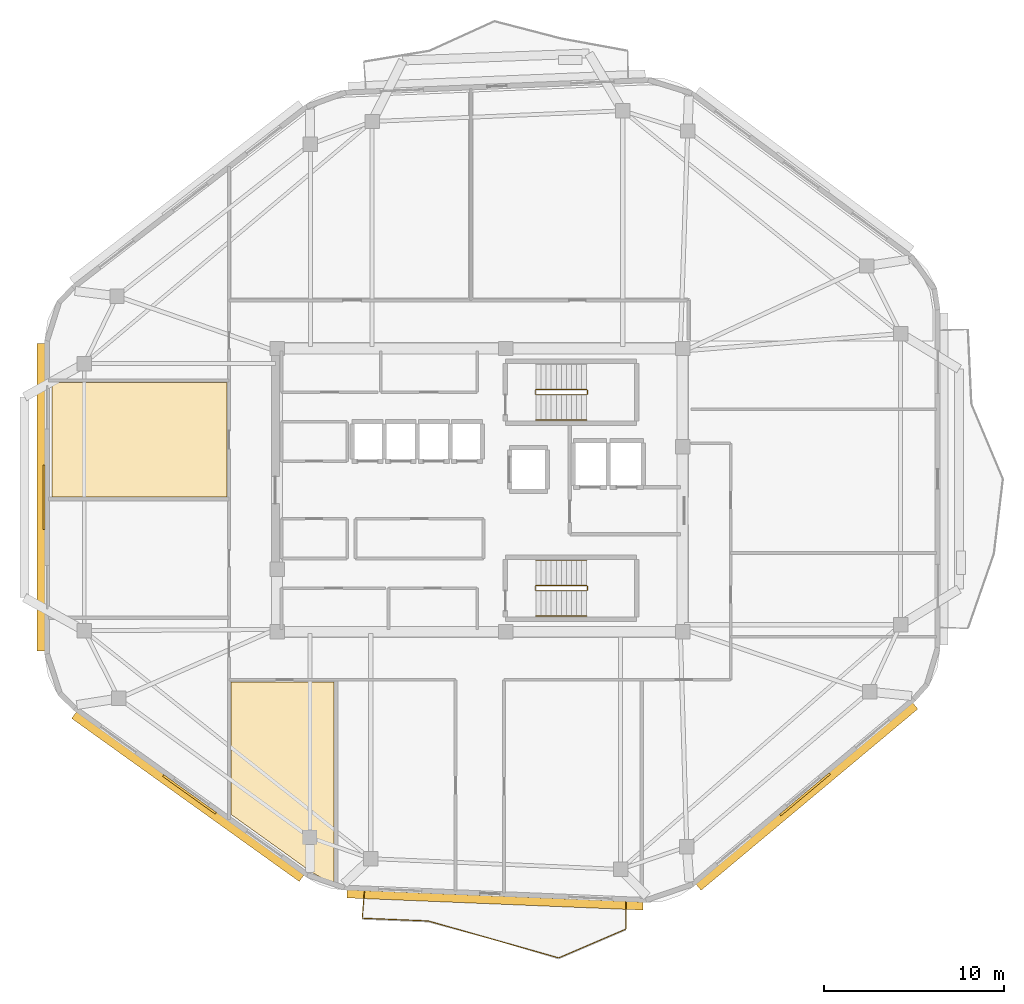
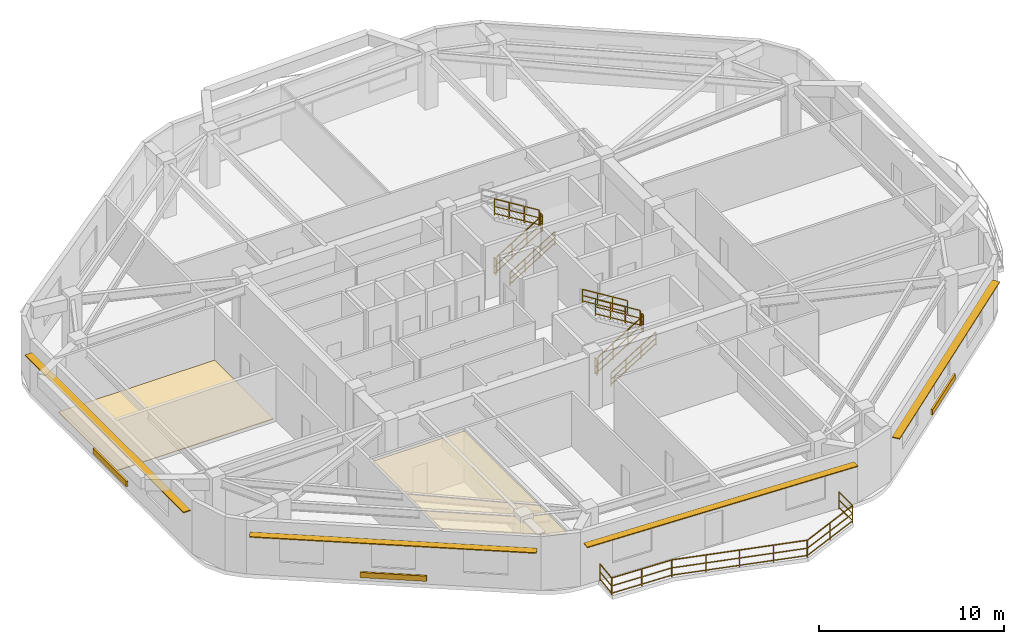
# One storey, part 7 of 8: 16 railings, 7 shading devices, 2 coverings.
"""IFC4 building model written with IfcOpenShell, lengths in metres."""

from ifc_helpers import new_model, si_unit, direction, frame, origin, origin_2d, place, context, subcontext, project, spatial, polyline, rectangle, outline, extrude, material, layer, layer_set, type_object, element, save


model = new_model("IFC4")

# Units and contexts
model_context = context("Model", 3, precision=1e-05, world=origin(), true_north=direction((0.0, 1.0)))
body_context = subcontext(model_context, "Body", "Model", "MODEL_VIEW")
ifc_project = project(units=[si_unit("LENGTHUNIT", "METRE"), si_unit("AREAUNIT", "SQUARE_METRE"), si_unit("VOLUMEUNIT", "CUBIC_METRE"), si_unit("PLANEANGLEUNIT", "RADIAN"), si_unit("MASSUNIT", "GRAM", prefix="KILO")], contexts=[model_context])

# Site, building, storey
site_placement = place(None, origin())
site = spatial("IfcSite", under=ifc_project, at=site_placement, CompositionType="ELEMENT")
building_placement = place(site_placement, origin())
building = spatial("IfcBuilding", under=site, at=building_placement, Name="Zulverin Broadcast Headquarters", CompositionType="ELEMENT")
storey_placement = place(building_placement, frame((0.0, 0.0, 274.39990234375)))
storey = spatial("IfcBuildingStorey", under=building, at=storey_placement, Name="L70", CompositionType="ELEMENT", Elevation=274.39990234375)

# Coverings
ifc_material_1 = material(Name="Perforated pale-metal acoustic baffle ceiling", Category="aluminium")
ifc_layer_1 = layer(ifc_material_1, 0.0400390625, Name="Perforated pale-metal acoustic baffle ceiling", Category="aluminium")
ifc_layer_set_1 = layer_set([ifc_layer_1], Name="Perforated pale-metal acoustic baffle ceiling")
covering_type_1 = type_object("IfcCoveringType", Name="COV-CEIL-ACOU", PredefinedType="CEILING", material=ifc_layer_set_1)
covering_1_placement = place(storey_placement, frame((0.0, 0.0, 3.360107421875)))
element("IfcCovering", 1, at=covering_1_placement, inside=storey, type_object=covering_type_1, Name="L70 Acoustic Baffle Ceiling 03", PredefinedType="CEILING", context=body_context, shape_type="SweptSolid", body=[
    extrude(outline(polyline([(27.580078125, 3.99609375), (28.1640625, 3.656005859375), (28.7880859375, 3.444091796875), (28.8798828125, 3.431884765625), (28.8798828125, 14.531982421875), (23.16796875, 14.531982421875), (23.16796875, 7.159912109375), (27.580078125, 3.99609375)])), origin(), (0.0, 0.0, 1.0), 0.0400390625),
])
ifc_material_2 = material(Name="Anti-static broadcast raised access flooring", Category="stone")
ifc_layer_2 = layer(ifc_material_2, 0.050048828125, Name="Anti-static broadcast raised access flooring", Category="stone")
ifc_layer_set_2 = layer_set([ifc_layer_2], Name="Anti-static broadcast raised access flooring")
covering_type_2 = type_object("IfcCoveringType", Name="COV-FLR-RAISED", PredefinedType="FLOORING", material=ifc_layer_set_2)
covering_2_placement = place(storey_placement, origin())
element("IfcCovering", 2, at=covering_2_placement, inside=storey, type_object=covering_type_2, Name="L70 Broadcast Raised Access Flooring 02", PredefinedType="FLOORING", context=body_context, shape_type="SweptSolid", body=[
    extrude(outline(polyline([(22.927978515625, 31.179931640625), (13.199951171875, 31.179931640625), (13.199951171875, 24.820068359375), (22.927978515625, 24.820068359375), (22.927978515625, 31.179931640625)])), origin(), (0.0, 0.0, 1.0), 0.050048828125),
])

# Railings
ifc_material_3 = material(Name="Brushed stainless steel & laminated glass balustrade", Category="steel")
railing_type_1 = type_object("IfcRailingType", Name="RL-GUARD-1150", PredefinedType="GUARDRAIL", material=ifc_material_3)
railing_1_placement = place(storey_placement, frame((30.580078125, 2.86572265625, 0.0)))
element("IfcRailing", 3, at=railing_1_placement, inside=storey, type_object=railing_type_1, Name="L70 Vertical-Forest Balcony Guardrail BAL_S Segment 01", PredefinedType="GUARDRAIL", context=body_context, shape_type="SweptSolid", body=[
    extrude(rectangle(XDim=0.048095703125, YDim=0.048095703125, at=origin_2d()), frame((0.0, 0.0, 1.1259765625), z_axis=(-0.08159832835, -0.996665296281, 0.0), x_axis=(0.996665296281, -0.08159832835, 0.0)), (0.0, 0.0, 1.0), 1.466064453125),
    extrude(rectangle(XDim=0.0419921875, YDim=0.0419921875, at=origin_2d()), frame((0.0, 0.0, 0.597900390625), z_axis=(-0.08159832835, -0.996665296281, 0.0), x_axis=(0.996665296281, -0.08159832835, 0.0)), (0.0, 0.0, 1.0), 1.466064453125),
    extrude(rectangle(XDim=0.0419921875, YDim=0.0419921875, at=origin_2d()), frame((0.0, 0.0, 0.1201171875), z_axis=(-0.08159832835, -0.996665296281, 0.0), x_axis=(0.996665296281, -0.08159832835, 0.0)), (0.0, 0.0, 1.0), 1.466064453125),
    extrude(rectangle(XDim=0.0419921875, YDim=0.0419921875, at=origin_2d()), origin(), (0.0, 0.0, 1.0), 1.101806640625),
    extrude(rectangle(XDim=0.0419921875, YDim=0.0419921875, at=origin_2d()), frame((-0.11962890625, -1.461181640625, 0.0)), (0.0, 0.0, 1.0), 1.101806640625),
])
railing_2_placement = place(storey_placement, frame((30.474365234375, 1.388916015625, 0.0)))
element("IfcRailing", 4, at=railing_2_placement, inside=storey, type_object=railing_type_1, Name="L70 Vertical-Forest Balcony Guardrail BAL_S Segment 02", PredefinedType="GUARDRAIL", context=body_context, shape_type="SweptSolid", body=[
    extrude(rectangle(XDim=0.048095703125, YDim=0.048095703125, at=origin_2d()), frame((0.0, 0.0, 1.1259765625), z_axis=(0.999156632001, -0.041061231452, 0.0), x_axis=(0.041061231452, 0.999156632001, 0.0)), (0.0, 0.0, 1.0), 3.638916015625),
    extrude(rectangle(XDim=0.0419921875, YDim=0.0419921875, at=origin_2d()), frame((0.0, 0.0, 0.597900390625), z_axis=(0.999156632001, -0.041061231452, 0.0), x_axis=(0.041061231452, 0.999156632001, 0.0)), (0.0, 0.0, 1.0), 3.638916015625),
    extrude(rectangle(XDim=0.0419921875, YDim=0.0419921875, at=origin_2d()), frame((0.0, 0.0, 0.1201171875), z_axis=(0.999156632001, -0.041061231452, 0.0), x_axis=(0.041061231452, 0.999156632001, 0.0)), (0.0, 0.0, 1.0), 3.638916015625),
    extrude(rectangle(XDim=0.0419921875, YDim=0.0419921875, at=origin_2d()), origin(), (0.0, 0.0, 1.0), 1.101806640625),
    extrude(rectangle(XDim=0.0419921875, YDim=0.0419921875, at=origin_2d()), frame((1.81787109375, -0.07470703125, 0.0)), (0.0, 0.0, 1.0), 1.101806640625),
    extrude(rectangle(XDim=0.0419921875, YDim=0.0419921875, at=origin_2d()), frame((3.6357421875, -0.1494140625, 0.0)), (0.0, 0.0, 1.0), 1.101806640625),
])
railing_3_placement = place(storey_placement, frame((34.1396484375, 1.234619140625, 0.0)))
element("IfcRailing", 5, at=railing_3_placement, inside=storey, type_object=railing_type_1, Name="L70 Vertical-Forest Balcony Guardrail BAL_S Segment 03", PredefinedType="GUARDRAIL", context=body_context, shape_type="SweptSolid", body=[
    extrude(rectangle(XDim=0.048095703125, YDim=0.048095703125, at=origin_2d()), frame((0.0, 0.0, 1.1259765625), z_axis=(0.962235433793, -0.27221860692, 0.0), x_axis=(0.27221860692, 0.962235433793, 0.0)), (0.0, 0.0, 1.0), 7.5146484375),
    extrude(rectangle(XDim=0.0419921875, YDim=0.0419921875, at=origin_2d()), frame((0.0, 0.0, 0.597900390625), z_axis=(0.962235433793, -0.27221860692, 0.0), x_axis=(0.27221860692, 0.962235433793, 0.0)), (0.0, 0.0, 1.0), 7.5146484375),
    extrude(rectangle(XDim=0.0419921875, YDim=0.0419921875, at=origin_2d()), frame((0.0, 0.0, 0.1201171875), z_axis=(0.962235433793, -0.27221860692, 0.0), x_axis=(0.27221860692, 0.962235433793, 0.0)), (0.0, 0.0, 1.0), 7.5146484375),
    extrude(rectangle(XDim=0.0419921875, YDim=0.0419921875, at=origin_2d()), origin(), (0.0, 0.0, 1.0), 1.101806640625),
    extrude(rectangle(XDim=0.0419921875, YDim=0.0419921875, at=origin_2d()), frame((1.8076171875, -0.511474609375, 0.0)), (0.0, 0.0, 1.0), 1.101806640625),
    extrude(rectangle(XDim=0.0419921875, YDim=0.0419921875, at=origin_2d()), frame((3.615478515625, -1.02294921875, 0.0)), (0.0, 0.0, 1.0), 1.101806640625),
    extrude(rectangle(XDim=0.0419921875, YDim=0.0419921875, at=origin_2d()), frame((5.42333984375, -1.5341796875, 0.0)), (0.0, 0.0, 1.0), 1.101806640625),
    extrude(rectangle(XDim=0.0419921875, YDim=0.0419921875, at=origin_2d()), frame((7.23095703125, -2.045654296875, 0.0)), (0.0, 0.0, 1.0), 1.101806640625),
])
railing_4_placement = place(storey_placement, frame((41.398681640625, -0.80908203125, 0.0)))
element("IfcRailing", 6, at=railing_4_placement, inside=storey, type_object=railing_type_1, Name="L70 Vertical-Forest Balcony Guardrail BAL_S Segment 04", PredefinedType="GUARDRAIL", context=body_context, shape_type="SweptSolid", body=[
    extrude(rectangle(XDim=0.048095703125, YDim=0.048095703125, at=origin_2d()), frame((0.0, 0.0, 1.1259765625), z_axis=(0.919176309922, 0.393846304133, 0.0), x_axis=(-0.393846304133, 0.919176309922, 0.0)), (0.0, 0.0, 1.0), 4.03662109375),
    extrude(rectangle(XDim=0.0419921875, YDim=0.0419921875, at=origin_2d()), frame((0.0, 0.0, 0.597900390625), z_axis=(0.919176309922, 0.393846304133, 0.0), x_axis=(-0.393846304133, 0.919176309922, 0.0)), (0.0, 0.0, 1.0), 4.03662109375),
    extrude(rectangle(XDim=0.0419921875, YDim=0.0419921875, at=origin_2d()), frame((0.0, 0.0, 0.1201171875), z_axis=(0.919176309922, 0.393846304133, 0.0), x_axis=(-0.393846304133, 0.919176309922, 0.0)), (0.0, 0.0, 1.0), 4.03662109375),
    extrude(rectangle(XDim=0.0419921875, YDim=0.0419921875, at=origin_2d()), origin(), (0.0, 0.0, 1.0), 1.101806640625),
    extrude(rectangle(XDim=0.0419921875, YDim=0.0419921875, at=origin_2d()), frame((1.855224609375, 0.794921875, 0.0)), (0.0, 0.0, 1.0), 1.101806640625),
    extrude(rectangle(XDim=0.0419921875, YDim=0.0419921875, at=origin_2d()), frame((3.71044921875, 1.58984375, 0.0)), (0.0, 0.0, 1.0), 1.101806640625),
])
railing_5_placement = place(storey_placement, frame((45.123046875, 0.8017578125, 0.0)))
element("IfcRailing", 7, at=railing_5_placement, inside=storey, type_object=railing_type_1, Name="L70 Vertical-Forest Balcony Guardrail BAL_S Segment 05", PredefinedType="GUARDRAIL", context=body_context, shape_type="SweptSolid", body=[
    extrude(rectangle(XDim=0.048095703125, YDim=0.048095703125, at=origin_2d()), frame((0.0, 0.0, 1.1259765625), z_axis=(0.000499500437, 0.99999987525, 0.0), x_axis=(-0.99999987525, 0.000499500437, 0.0)), (0.0, 0.0, 1.0), 1.46630859375),
    extrude(rectangle(XDim=0.0419921875, YDim=0.0419921875, at=origin_2d()), frame((0.0, 0.0, 0.597900390625), z_axis=(0.000499500437, 0.99999987525, 0.0), x_axis=(-0.99999987525, 0.000499500437, 0.0)), (0.0, 0.0, 1.0), 1.46630859375),
    extrude(rectangle(XDim=0.0419921875, YDim=0.0419921875, at=origin_2d()), frame((0.0, 0.0, 0.1201171875), z_axis=(0.000499500437, 0.99999987525, 0.0), x_axis=(-0.99999987525, 0.000499500437, 0.0)), (0.0, 0.0, 1.0), 1.46630859375),
    extrude(rectangle(XDim=0.0419921875, YDim=0.0419921875, at=origin_2d()), origin(), (0.0, 0.0, 1.0), 1.101806640625),
    extrude(rectangle(XDim=0.0419921875, YDim=0.0419921875, at=origin_2d()), frame((0.000732421875, 1.46630859375, 0.0)), (0.0, 0.0, 1.0), 1.101806640625),
])
ifc_material_4 = material(Name="Painted galvanized steel tubular guardrail S355JR", Category="steel")
railing_type_2 = type_object("IfcRailingType", Name="RL-ST-GUARD", PredefinedType="GUARDRAIL", material=ifc_material_4)
railing_6_placement = place(storey_placement, frame((40.1298828125, 30.5, 0.1728515625)))
element("IfcRailing", 8, at=railing_6_placement, inside=storey, type_object=railing_type_2, Name="L70 ST-1 stair guard 1", PredefinedType="GUARDRAIL", context=body_context, shape_type="SweptSolid", body=[
    extrude(rectangle(XDim=0.048095703125, YDim=0.048095703125, at=origin_2d()), frame((0.0, 0.0, 1.076171875), z_axis=(0.851089632645, 0.0, 0.525020415988), x_axis=(0.0, 1.0, 0.0)), (0.0, 0.0, 1.0), 3.2900390625),
    extrude(rectangle(XDim=0.0419921875, YDim=0.0419921875, at=origin_2d()), frame((0.0, 0.0, 0.572021484375), z_axis=(0.851089632645, 0.0, 0.525020415988), x_axis=(0.0, 1.0, 0.0)), (0.0, 0.0, 1.0), 3.2900390625),
    extrude(rectangle(XDim=0.0419921875, YDim=0.0419921875, at=origin_2d()), frame((0.0, 0.0, 0.1201171875), z_axis=(0.851089632645, 0.0, 0.525020415988), x_axis=(0.0, 1.0, 0.0)), (0.0, 0.0, 1.0), 3.2900390625),
    extrude(rectangle(XDim=0.0419921875, YDim=0.0419921875, at=origin_2d()), origin(), (0.0, 0.0, 1.0), 1.052001953125),
    extrude(rectangle(XDim=0.0419921875, YDim=0.0419921875, at=origin_2d()), frame((0.933349609375, 0.0, 0.57568359375)), (0.0, 0.0, 1.0), 1.052001953125),
    extrude(rectangle(XDim=0.0419921875, YDim=0.0419921875, at=origin_2d()), frame((1.86669921875, 0.0, 1.151611328125)), (0.0, 0.0, 1.0), 1.052001953125),
    extrude(rectangle(XDim=0.0419921875, YDim=0.0419921875, at=origin_2d()), frame((2.800048828125, 0.0, 1.727294921875)), (0.0, 0.0, 1.0), 1.052001953125),
])
railing_7_placement = place(storey_placement, frame((42.97998046875, 30.550048828125, 1.900146484375)))
element("IfcRailing", 9, at=railing_7_placement, inside=storey, type_object=railing_type_2, Name="L70 ST-1 stair guard 2", PredefinedType="GUARDRAIL", context=body_context, shape_type="SweptSolid", body=[
    extrude(rectangle(XDim=0.048095703125, YDim=0.048095703125, at=origin_2d()), frame((0.0, 0.0, 1.076171875), z_axis=(0.0, 1.0, 0.0), x_axis=(-1.0, 0.0, 0.0)), (0.0, 0.0, 1.0), 0.199951171875),
    extrude(rectangle(XDim=0.0419921875, YDim=0.0419921875, at=origin_2d()), frame((0.0, 0.0, 0.572021484375), z_axis=(0.0, 1.0, 0.0), x_axis=(-1.0, 0.0, 0.0)), (0.0, 0.0, 1.0), 0.199951171875),
    extrude(rectangle(XDim=0.0419921875, YDim=0.0419921875, at=origin_2d()), frame((0.0, 0.0, 0.1201171875), z_axis=(0.0, 1.0, 0.0), x_axis=(-1.0, 0.0, 0.0)), (0.0, 0.0, 1.0), 0.199951171875),
    extrude(rectangle(XDim=0.0419921875, YDim=0.0419921875, at=origin_2d()), origin(), (0.0, 0.0, 1.0), 1.052001953125),
    extrude(rectangle(XDim=0.0419921875, YDim=0.0419921875, at=origin_2d()), frame((0.0, 0.199951171875, 0.0)), (0.0, 0.0, 1.0), 1.052001953125),
])
railing_8_placement = place(storey_placement, frame((42.929931640625, 30.800048828125, 2.07275390625)))
element("IfcRailing", 10, at=railing_8_placement, inside=storey, type_object=railing_type_2, Name="L70 ST-1 stair guard 3", PredefinedType="GUARDRAIL", context=body_context, shape_type="SweptSolid", body=[
    extrude(rectangle(XDim=0.048095703125, YDim=0.048095703125, at=origin_2d()), frame((0.0, 0.0, 1.076171875), z_axis=(-0.851089632645, 0.0, 0.525020415988), x_axis=(0.0, -1.0, 0.0)), (0.0, 0.0, 1.0), 3.2900390625),
    extrude(rectangle(XDim=0.0419921875, YDim=0.0419921875, at=origin_2d()), frame((0.0, 0.0, 0.572021484375), z_axis=(-0.851089632645, 0.0, 0.525020415988), x_axis=(0.0, -1.0, 0.0)), (0.0, 0.0, 1.0), 3.2900390625),
    extrude(rectangle(XDim=0.0419921875, YDim=0.0419921875, at=origin_2d()), frame((0.0, 0.0, 0.1201171875), z_axis=(-0.851089632645, 0.0, 0.525020415988), x_axis=(0.0, -1.0, 0.0)), (0.0, 0.0, 1.0), 3.2900390625),
    extrude(rectangle(XDim=0.0419921875, YDim=0.0419921875, at=origin_2d()), origin(), (0.0, 0.0, 1.0), 1.052001953125),
    extrude(rectangle(XDim=0.0419921875, YDim=0.0419921875, at=origin_2d()), frame((-0.933349609375, 0.0, 0.57568359375)), (0.0, 0.0, 1.0), 1.052001953125),
    extrude(rectangle(XDim=0.0419921875, YDim=0.0419921875, at=origin_2d()), frame((-1.86669921875, 0.0, 1.151611328125)), (0.0, 0.0, 1.0), 1.052001953125),
    extrude(rectangle(XDim=0.0419921875, YDim=0.0419921875, at=origin_2d()), frame((-2.800048828125, 0.0, 1.727294921875)), (0.0, 0.0, 1.0), 1.052001953125),
])
railing_9_placement = place(storey_placement, frame((40.080078125, 30.550048828125, 0.0)))
element("IfcRailing", 11, at=railing_9_placement, inside=storey, type_object=railing_type_2, Name="L70 ST-1 stair guard 4", PredefinedType="GUARDRAIL", context=body_context, shape_type="SweptSolid", body=[
    extrude(rectangle(XDim=0.048095703125, YDim=0.048095703125, at=origin_2d()), frame((0.0, 0.0, 1.076171875), z_axis=(0.0, 1.0, 0.0), x_axis=(-1.0, 0.0, 0.0)), (0.0, 0.0, 1.0), 0.199951171875),
    extrude(rectangle(XDim=0.0419921875, YDim=0.0419921875, at=origin_2d()), frame((0.0, 0.0, 0.572021484375), z_axis=(0.0, 1.0, 0.0), x_axis=(-1.0, 0.0, 0.0)), (0.0, 0.0, 1.0), 0.199951171875),
    extrude(rectangle(XDim=0.0419921875, YDim=0.0419921875, at=origin_2d()), frame((0.0, 0.0, 0.1201171875), z_axis=(0.0, 1.0, 0.0), x_axis=(-1.0, 0.0, 0.0)), (0.0, 0.0, 1.0), 0.199951171875),
    extrude(rectangle(XDim=0.0419921875, YDim=0.0419921875, at=origin_2d()), origin(), (0.0, 0.0, 1.0), 1.052001953125),
    extrude(rectangle(XDim=0.0419921875, YDim=0.0419921875, at=origin_2d()), frame((0.0, 0.199951171875, 0.0)), (0.0, 0.0, 1.0), 1.052001953125),
])
railing_10_placement = place(storey_placement, frame((40.1298828125, 19.60009765625, 0.1728515625)))
element("IfcRailing", 12, at=railing_10_placement, inside=storey, type_object=railing_type_2, Name="L70 ST-2 stair guard 1", PredefinedType="GUARDRAIL", context=body_context, shape_type="SweptSolid", body=[
    extrude(rectangle(XDim=0.048095703125, YDim=0.048095703125, at=origin_2d()), frame((0.0, 0.0, 1.076171875), z_axis=(0.851089632645, 0.0, 0.525020415988), x_axis=(0.0, 1.0, 0.0)), (0.0, 0.0, 1.0), 3.2900390625),
    extrude(rectangle(XDim=0.0419921875, YDim=0.0419921875, at=origin_2d()), frame((0.0, 0.0, 0.572021484375), z_axis=(0.851089632645, 0.0, 0.525020415988), x_axis=(0.0, 1.0, 0.0)), (0.0, 0.0, 1.0), 3.2900390625),
    extrude(rectangle(XDim=0.0419921875, YDim=0.0419921875, at=origin_2d()), frame((0.0, 0.0, 0.1201171875), z_axis=(0.851089632645, 0.0, 0.525020415988), x_axis=(0.0, 1.0, 0.0)), (0.0, 0.0, 1.0), 3.2900390625),
    extrude(rectangle(XDim=0.0419921875, YDim=0.0419921875, at=origin_2d()), origin(), (0.0, 0.0, 1.0), 1.052001953125),
    extrude(rectangle(XDim=0.0419921875, YDim=0.0419921875, at=origin_2d()), frame((0.933349609375, 0.0, 0.57568359375)), (0.0, 0.0, 1.0), 1.052001953125),
    extrude(rectangle(XDim=0.0419921875, YDim=0.0419921875, at=origin_2d()), frame((1.86669921875, 0.0, 1.151611328125)), (0.0, 0.0, 1.0), 1.052001953125),
    extrude(rectangle(XDim=0.0419921875, YDim=0.0419921875, at=origin_2d()), frame((2.800048828125, 0.0, 1.727294921875)), (0.0, 0.0, 1.0), 1.052001953125),
])
railing_11_placement = place(storey_placement, frame((42.97998046875, 19.64990234375, 1.900146484375)))
element("IfcRailing", 13, at=railing_11_placement, inside=storey, type_object=railing_type_2, Name="L70 ST-2 stair guard 2", PredefinedType="GUARDRAIL", context=body_context, shape_type="SweptSolid", body=[
    extrude(rectangle(XDim=0.048095703125, YDim=0.048095703125, at=origin_2d()), frame((0.0, 0.0, 1.076171875), z_axis=(0.0, 1.0, 0.0), x_axis=(-1.0, 0.0, 0.0)), (0.0, 0.0, 1.0), 0.2001953125),
    extrude(rectangle(XDim=0.0419921875, YDim=0.0419921875, at=origin_2d()), frame((0.0, 0.0, 0.572021484375), z_axis=(0.0, 1.0, 0.0), x_axis=(-1.0, 0.0, 0.0)), (0.0, 0.0, 1.0), 0.2001953125),
    extrude(rectangle(XDim=0.0419921875, YDim=0.0419921875, at=origin_2d()), frame((0.0, 0.0, 0.1201171875), z_axis=(0.0, 1.0, 0.0), x_axis=(-1.0, 0.0, 0.0)), (0.0, 0.0, 1.0), 0.2001953125),
    extrude(rectangle(XDim=0.0419921875, YDim=0.0419921875, at=origin_2d()), origin(), (0.0, 0.0, 1.0), 1.052001953125),
    extrude(rectangle(XDim=0.0419921875, YDim=0.0419921875, at=origin_2d()), frame((0.0, 0.2001953125, 0.0)), (0.0, 0.0, 1.0), 1.052001953125),
])
railing_12_placement = place(storey_placement, frame((42.929931640625, 19.89990234375, 2.07275390625)))
element("IfcRailing", 14, at=railing_12_placement, inside=storey, type_object=railing_type_2, Name="L70 ST-2 stair guard 3", PredefinedType="GUARDRAIL", context=body_context, shape_type="SweptSolid", body=[
    extrude(rectangle(XDim=0.048095703125, YDim=0.048095703125, at=origin_2d()), frame((0.0, 0.0, 1.076171875), z_axis=(-0.851089632645, 0.0, 0.525020415988), x_axis=(0.0, -1.0, 0.0)), (0.0, 0.0, 1.0), 3.2900390625),
    extrude(rectangle(XDim=0.0419921875, YDim=0.0419921875, at=origin_2d()), frame((0.0, 0.0, 0.572021484375), z_axis=(-0.851089632645, 0.0, 0.525020415988), x_axis=(0.0, -1.0, 0.0)), (0.0, 0.0, 1.0), 3.2900390625),
    extrude(rectangle(XDim=0.0419921875, YDim=0.0419921875, at=origin_2d()), frame((0.0, 0.0, 0.1201171875), z_axis=(-0.851089632645, 0.0, 0.525020415988), x_axis=(0.0, -1.0, 0.0)), (0.0, 0.0, 1.0), 3.2900390625),
    extrude(rectangle(XDim=0.0419921875, YDim=0.0419921875, at=origin_2d()), origin(), (0.0, 0.0, 1.0), 1.052001953125),
    extrude(rectangle(XDim=0.0419921875, YDim=0.0419921875, at=origin_2d()), frame((-0.933349609375, 0.0, 0.57568359375)), (0.0, 0.0, 1.0), 1.052001953125),
    extrude(rectangle(XDim=0.0419921875, YDim=0.0419921875, at=origin_2d()), frame((-1.86669921875, 0.0, 1.151611328125)), (0.0, 0.0, 1.0), 1.052001953125),
    extrude(rectangle(XDim=0.0419921875, YDim=0.0419921875, at=origin_2d()), frame((-2.800048828125, 0.0, 1.727294921875)), (0.0, 0.0, 1.0), 1.052001953125),
])
railing_13_placement = place(storey_placement, frame((40.080078125, 19.64990234375, 0.0)))
element("IfcRailing", 15, at=railing_13_placement, inside=storey, type_object=railing_type_2, Name="L70 ST-2 stair guard 4", PredefinedType="GUARDRAIL", context=body_context, shape_type="SweptSolid", body=[
    extrude(rectangle(XDim=0.048095703125, YDim=0.048095703125, at=origin_2d()), frame((0.0, 0.0, 1.076171875), z_axis=(0.0, 1.0, 0.0), x_axis=(-1.0, 0.0, 0.0)), (0.0, 0.0, 1.0), 0.2001953125),
    extrude(rectangle(XDim=0.0419921875, YDim=0.0419921875, at=origin_2d()), frame((0.0, 0.0, 0.572021484375), z_axis=(0.0, 1.0, 0.0), x_axis=(-1.0, 0.0, 0.0)), (0.0, 0.0, 1.0), 0.2001953125),
    extrude(rectangle(XDim=0.0419921875, YDim=0.0419921875, at=origin_2d()), frame((0.0, 0.0, 0.1201171875), z_axis=(0.0, 1.0, 0.0), x_axis=(-1.0, 0.0, 0.0)), (0.0, 0.0, 1.0), 0.2001953125),
    extrude(rectangle(XDim=0.0419921875, YDim=0.0419921875, at=origin_2d()), origin(), (0.0, 0.0, 1.0), 1.052001953125),
    extrude(rectangle(XDim=0.0419921875, YDim=0.0419921875, at=origin_2d()), frame((0.0, 0.2001953125, 0.0)), (0.0, 0.0, 1.0), 1.052001953125),
])
ifc_material_5 = material(Name="Brushed stainless steel 48 mm handrail", Category="steel")
railing_type_3 = type_object("IfcRailingType", Name="RL-ST-HAND", PredefinedType="HANDRAIL", material=ifc_material_5)
for number, where, name in (
    (16, (40.1298828125, 29.10009765625, 0.1728515625), "L70 ST-1 stair handrail 1"),
    (17, (40.1298828125, 18.199951171875, 0.1728515625), "L70 ST-2 stair handrail 1"),
):
    element("IfcRailing", number, at=place(storey_placement, frame(where)), inside=storey, type_object=railing_type_3, Name=name, PredefinedType="HANDRAIL", context=body_context, shape_type="SweptSolid", body=[
        extrude(rectangle(XDim=0.048095703125, YDim=0.048095703125, at=origin_2d()), frame((0.0, 0.0, 0.8759765625), z_axis=(0.851089632645, 0.0, 0.525020415988), x_axis=(0.0, 1.0, 0.0)), (0.0, 0.0, 1.0), 3.2900390625),
        extrude(rectangle(XDim=0.0419921875, YDim=0.0419921875, at=origin_2d()), frame((0.0, 0.0, 0.468017578125), z_axis=(0.851089632645, 0.0, 0.525020415988), x_axis=(0.0, 1.0, 0.0)), (0.0, 0.0, 1.0), 3.2900390625),
        extrude(rectangle(XDim=0.0419921875, YDim=0.0419921875, at=origin_2d()), frame((0.0, 0.0, 0.1201171875), z_axis=(0.851089632645, 0.0, 0.525020415988), x_axis=(0.0, 1.0, 0.0)), (0.0, 0.0, 1.0), 3.2900390625),
        extrude(rectangle(XDim=0.0419921875, YDim=0.0419921875, at=origin_2d()), origin(), (0.0, 0.0, 1.0), 0.851806640625),
        extrude(rectangle(XDim=0.0419921875, YDim=0.0419921875, at=origin_2d()), frame((0.933349609375, 0.0, 0.57568359375)), (0.0, 0.0, 1.0), 0.851806640625),
        extrude(rectangle(XDim=0.0419921875, YDim=0.0419921875, at=origin_2d()), frame((1.86669921875, 0.0, 1.151611328125)), (0.0, 0.0, 1.0), 0.851806640625),
        extrude(rectangle(XDim=0.0419921875, YDim=0.0419921875, at=origin_2d()), frame((2.800048828125, 0.0, 1.727294921875)), (0.0, 0.0, 1.0), 0.851806640625),
    ])
railing_14_placement = place(storey_placement, frame((42.929931640625, 21.300048828125, 2.07275390625)))
element("IfcRailing", 18, at=railing_14_placement, inside=storey, type_object=railing_type_3, Name="L70 ST-2 stair handrail 2", PredefinedType="HANDRAIL", context=body_context, shape_type="SweptSolid", body=[
    extrude(rectangle(XDim=0.048095703125, YDim=0.048095703125, at=origin_2d()), frame((0.0, 0.0, 0.8759765625), z_axis=(-0.851089632645, 0.0, 0.525020415988), x_axis=(0.0, -1.0, 0.0)), (0.0, 0.0, 1.0), 3.2900390625),
    extrude(rectangle(XDim=0.0419921875, YDim=0.0419921875, at=origin_2d()), frame((0.0, 0.0, 0.468017578125), z_axis=(-0.851089632645, 0.0, 0.525020415988), x_axis=(0.0, -1.0, 0.0)), (0.0, 0.0, 1.0), 3.2900390625),
    extrude(rectangle(XDim=0.0419921875, YDim=0.0419921875, at=origin_2d()), frame((0.0, 0.0, 0.1201171875), z_axis=(-0.851089632645, 0.0, 0.525020415988), x_axis=(0.0, -1.0, 0.0)), (0.0, 0.0, 1.0), 3.2900390625),
    extrude(rectangle(XDim=0.0419921875, YDim=0.0419921875, at=origin_2d()), origin(), (0.0, 0.0, 1.0), 0.851806640625),
    extrude(rectangle(XDim=0.0419921875, YDim=0.0419921875, at=origin_2d()), frame((-0.933349609375, 0.0, 0.57568359375)), (0.0, 0.0, 1.0), 0.851806640625),
    extrude(rectangle(XDim=0.0419921875, YDim=0.0419921875, at=origin_2d()), frame((-1.86669921875, 0.0, 1.151611328125)), (0.0, 0.0, 1.0), 0.851806640625),
    extrude(rectangle(XDim=0.0419921875, YDim=0.0419921875, at=origin_2d()), frame((-2.800048828125, 0.0, 1.727294921875)), (0.0, 0.0, 1.0), 0.851806640625),
])

# Shading devices
ifc_material_6 = material(Name="Anodized pale-metal aluminium acoustic louvre", Category="aluminium")
shading_device_type_1 = type_object("IfcShadingDeviceType", Name="SHD-LOUVRE-350", PredefinedType="USERDEFINED", material=ifc_material_6)
for number, where, z_axis, x_axis, name in (
    (19, (55.083984375, 8.281005859375, 0.2451171875), (0.0, 0.0, 1.0), (0.76703526936, 0.641604937292, 0.0), "L70 Spandrel Intake Louvre 2"),
    (20, (12.760009765625, 24.7998046875, 0.2451171875), (0.0, 0.0, 1.0), (0.0, -1.0, 0.0), "L70 Spandrel Intake Louvre 7"),
    (21, (20.852294921875, 8.27978515625, 0.2451171875), (0.0, 0.0, 1.0), (0.812809068128, -0.582530187002, 0.0), "L70 Spandrel Intake Louvre 8"),
):
    element("IfcShadingDevice", number, at=place(storey_placement, frame(where, z_axis=z_axis, x_axis=x_axis)), inside=storey, type_object=shading_device_type_1, Name=name, ObjectType="LOUVRE", PredefinedType="USERDEFINED", context=body_context, shape_type="SweptSolid", body=[
        extrude(rectangle(XDim=3.60009765625, YDim=0.1201171875, at=origin_2d()), origin(), (0.0, 0.0, 1.0), 0.35009765625),
    ])
ifc_material_7 = material(Name="Anodized pale-metal aluminium sunshade", Category="aluminium")
ifc_layer_3 = layer(ifc_material_7, 0.06005859375, Name="Anodized pale-metal aluminium sunshade", Category="aluminium")
ifc_layer_set_3 = layer_set([ifc_layer_3], Name="Anodized pale-metal aluminium sunshade")
shading_device_type_2 = type_object("IfcShadingDeviceType", Name="SS-01_PALE_METAL_ALUMINIUM_SUNSHADE", PredefinedType="USERDEFINED", material=ifc_layer_set_3)
shading_device_1_placement = place(storey_placement, frame((37.84521484375, 2.406982421875, 2.7099609375), z_axis=(0.0, 0.0, 1.0), x_axis=(0.99915627139, -0.041070005388, 0.0)))
element("IfcShadingDevice", 22, at=shading_device_1_placement, inside=storey, type_object=shading_device_type_2, Name="L70 Horizontal Pale-Metal Sunshade Band 1", ObjectType="SUNSHADE", PredefinedType="USERDEFINED", context=body_context, shape_type="SweptSolid", body=[
    extrude(rectangle(XDim=16.47607421875, YDim=0.449951171875, at=origin_2d()), origin(), (0.0, 0.0, 1.0), 0.06005859375),
])
shading_device_2_placement = place(storey_placement, frame((55.186767578125, 8.158203125, 2.7099609375), z_axis=(0.0, 0.0, 1.0), x_axis=(0.76703526936, 0.641604937292, 0.0)))
element("IfcShadingDevice", 23, at=shading_device_2_placement, inside=storey, type_object=shading_device_type_2, Name="L70 Horizontal Pale-Metal Sunshade Band 2", ObjectType="SUNSHADE", PredefinedType="USERDEFINED", context=body_context, shape_type="SweptSolid", body=[
    extrude(rectangle(XDim=15.71337890625, YDim=0.449951171875, at=origin_2d()), origin(), (0.0, 0.0, 1.0), 0.06005859375),
])
shading_device_3_placement = place(storey_placement, frame((12.60009765625, 24.7998046875, 2.7099609375), z_axis=(0.0, 0.0, 1.0), x_axis=(0.0, -1.0, 0.0)))
element("IfcShadingDevice", 24, at=shading_device_3_placement, inside=storey, type_object=shading_device_type_2, Name="L70 Horizontal Pale-Metal Sunshade Band 7", ObjectType="SUNSHADE", PredefinedType="USERDEFINED", context=body_context, shape_type="SweptSolid", body=[
    extrude(rectangle(XDim=17.09619140625, YDim=0.449951171875, at=origin_2d()), origin(), (0.0, 0.0, 1.0), 0.06005859375),
])
shading_device_4_placement = place(storey_placement, frame((20.75927734375, 8.149658203125, 2.7099609375), z_axis=(0.0, 0.0, 1.0), x_axis=(0.812809068128, -0.582530187002, 0.0)))
element("IfcShadingDevice", 25, at=shading_device_4_placement, inside=storey, type_object=shading_device_type_2, Name="L70 Horizontal Pale-Metal Sunshade Band 8", ObjectType="SUNSHADE", PredefinedType="USERDEFINED", context=body_context, shape_type="SweptSolid", body=[
    extrude(rectangle(XDim=15.567626953125, YDim=0.449951171875, at=origin_2d()), origin(), (0.0, 0.0, 1.0), 0.06005859375),
])

save(model, "model.ifc")
